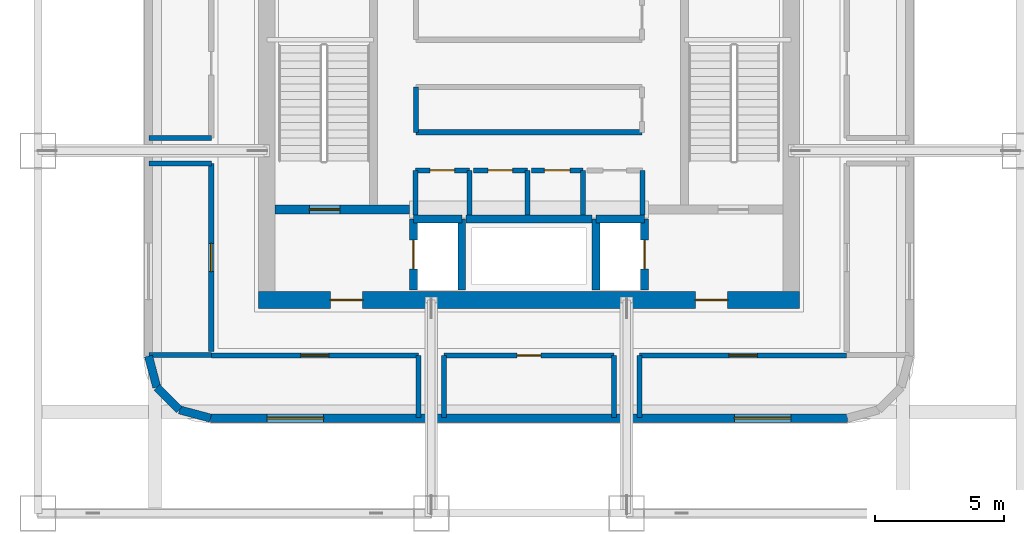
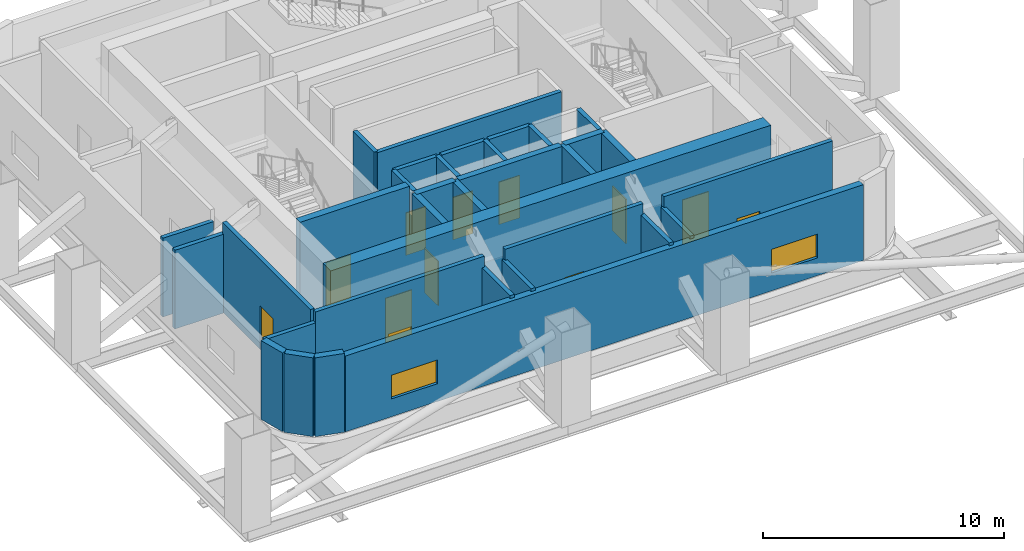
# One storey, part 4 of 9: 34 walls, 12 doors, 2 windows, 14 openings.
"""IFC4 building model written with IfcOpenShell, lengths in metres."""

from ifc_helpers import new_model, si_unit, direction, frame, frame_2d, origin, place, context, subcontext, project, spatial, rectangle, extrude, material, layer, layer_set, type_object, element, fill, save


model = new_model("IFC4")

# Units and contexts
model_context = context("Model", 3, precision=1e-05, world=origin(), true_north=direction((0.0, 1.0)))
body_context = subcontext(model_context, "Body", "Model", "MODEL_VIEW")
ifc_project = project(units=[si_unit("LENGTHUNIT", "METRE"), si_unit("AREAUNIT", "SQUARE_METRE"), si_unit("VOLUMEUNIT", "CUBIC_METRE"), si_unit("PLANEANGLEUNIT", "RADIAN"), si_unit("MASSUNIT", "GRAM", prefix="KILO")], contexts=[model_context])

# Site, building, storey
site_placement = place(None, origin())
site = spatial("IfcSite", under=ifc_project, at=site_placement, CompositionType="ELEMENT")
building_placement = place(site_placement, origin())
building = spatial("IfcBuilding", under=site, at=building_placement, Name="Punatoya Terracotta Tower", CompositionType="ELEMENT")
storey_placement = place(building_placement, frame((0.0, 0.0, 130.199951171875)))
storey = spatial("IfcBuildingStorey", under=building, at=storey_placement, Name="L30", CompositionType="ELEMENT", Elevation=130.199951171875)

# Wall, openings, doors
ifc_material_1 = material(Name="Concrete C60/75", Category="concrete")
ifc_layer_1 = layer(ifc_material_1, 0.64990234375)
ifc_layer_set_1 = layer_set([ifc_layer_1], Name="Concrete C60/75")
wall_type_1 = type_object("IfcWallType", Name="WL-COR-650", PredefinedType="SHEAR", material=ifc_layer_set_1)
wall_1_placement = place(storey_placement, frame((10.52490234375, -9.199951171875, 0.0), z_axis=(0.0, 0.0, 1.0), x_axis=(-1.0, 0.0, 0.0)))
wall_1 = element("IfcWall", 1, at=wall_1_placement, inside=storey, type_object=wall_type_1, Name="L30 Core Shear Wall S", PredefinedType="SHEAR", context=body_context, shape_type="SweptSolid", body=[
    extrude(rectangle(XDim=21.0498046875, YDim=0.64990234375, at=frame_2d((10.52490234375, 0.0))), origin(), (0.0, 0.0, 1.0), 4.800048828125),
])
opening_1_placement = place(wall_1_placement, frame((2.800048828125, 0.0, 0.0)))
opening_1 = element("IfcOpeningElement", 2, at=opening_1_placement, cuts=wall_1, Name="Opening FD-L1", PredefinedType="OPENING", context=body_context, shape_type="SweptSolid", body=[
    extrude(rectangle(XDim=1.25, YDim=2.25, at=frame_2d((0.625, 1.125))), frame((0.0, 0.3349609375, 0.0), z_axis=(0.0, -1.0, 0.0), x_axis=(1.0, 0.0, 0.0)), (0.0, 0.0, 1.0), 0.669921875),
])
opening_2_placement = place(wall_1_placement, frame((17.0, 0.0, 0.0)))
opening_2 = element("IfcOpeningElement", 3, at=opening_2_placement, cuts=wall_1, Name="Opening FD-L1", PredefinedType="OPENING", context=body_context, shape_type="SweptSolid", body=[
    extrude(rectangle(XDim=1.25, YDim=2.25, at=frame_2d((0.625, 1.125))), frame((0.0, 0.3349609375, 0.0), z_axis=(0.0, -1.0, 0.0), x_axis=(1.0, 0.0, 0.0)), (0.0, 0.0, 1.0), 0.669921875),
])
ifc_material_2 = material(Name="Galvanised Steel Smokeproof Fire Door", Category="steel")
door_type_1 = type_object("IfcDoorType", Name="DR-FFL-1250", OperationType="NOTDEFINED", PredefinedType="DOOR", material=ifc_material_2)
door_1_placement = place(opening_1_placement, origin())
door_1 = element("IfcDoor", 4, at=door_1_placement, inside=storey, type_object=door_type_1, Name="L30 East Firefighting Lobby Corridor Fire Door", OperationType="SINGLE_SWING_LEFT", OverallHeight=2.25, OverallWidth=1.25, PredefinedType="DOOR", context=body_context, shape_type="SweptSolid", body=[
    extrude(rectangle(XDim=1.25, YDim=2.25, at=frame_2d((0.625, 1.125))), frame((0.0, 0.02490234375, 0.0), z_axis=(0.0, -1.0, 0.0), x_axis=(1.0, 0.0, 0.0)), (0.0, 0.0, 1.0), 0.050048828125),
])
fill(opening_1, door_1)
door_2_placement = place(opening_2_placement, origin())
door_2 = element("IfcDoor", 5, at=door_2_placement, inside=storey, type_object=door_type_1, Name="L30 West Firefighting Lobby Corridor Fire Door", OperationType="SINGLE_SWING_RIGHT", OverallHeight=2.25, OverallWidth=1.25, PredefinedType="DOOR", context=body_context, shape_type="SweptSolid", body=[
    extrude(rectangle(XDim=1.25, YDim=2.25, at=frame_2d((0.625, 1.125))), frame((0.0, 0.02490234375, 0.0), z_axis=(0.0, -1.0, 0.0), x_axis=(1.0, 0.0, 0.0)), (0.0, 0.0, 1.0), 0.050048828125),
])
fill(opening_2, door_2)

# Wall, openings, windows
ifc_material_3 = material(Name="Precast concrete C40/50", Category="concrete")
ifc_layer_2 = layer(ifc_material_3, 0.320068359375)
ifc_layer_set_2 = layer_set([ifc_layer_2], Name="Precast concrete C40/50")
wall_type_2 = type_object("IfcWallType", Name="WL-EXT-320", PredefinedType="SOLIDWALL", material=ifc_layer_set_2)
wall_2_placement = place(storey_placement, frame((-12.386962890625, -13.800048828125, 0.0), z_axis=(0.0, 0.0, 1.0), x_axis=(1.0, 0.0, 0.0)))
wall_2 = element("IfcWall", 6, at=wall_2_placement, inside=storey, type_object=wall_type_2, Name="L30 Terracotta Louvre Plant Enclosure S", PredefinedType="SOLIDWALL", context=body_context, shape_type="SweptSolid", body=[
    extrude(rectangle(XDim=24.77392578125, YDim=0.320068359375, at=frame_2d((12.386962890625, 0.0))), origin(), (0.0, 0.0, 1.0), 3.833984375),
])
opening_3_placement = place(wall_2_placement, frame((2.199951171875, 0.0, 0.89990234375)))
opening_3 = element("IfcOpeningElement", 7, at=opening_3_placement, cuts=wall_2, Name="Opening WN-09", PredefinedType="OPENING", context=body_context, shape_type="SweptSolid", body=[
    extrude(rectangle(XDim=2.199951171875, YDim=1.199951171875, at=frame_2d((1.10009765625, 0.60009765625))), frame((0.0, 0.169921875, 0.0), z_axis=(0.0, -1.0, 0.0), x_axis=(1.0, 0.0, 0.0)), (0.0, 0.0, 1.0), 0.340087890625),
])
opening_4_placement = place(wall_2_placement, frame((20.373779296875, 0.0, 0.89990234375)))
opening_4 = element("IfcOpeningElement", 8, at=opening_4_placement, cuts=wall_2, Name="Opening WN-09", PredefinedType="OPENING", context=body_context, shape_type="SweptSolid", body=[
    extrude(rectangle(XDim=2.199951171875, YDim=1.199951171875, at=frame_2d((1.10009765625, 0.60009765625))), frame((0.0, 0.169921875, 0.0), z_axis=(0.0, -1.0, 0.0), x_axis=(1.0, 0.0, 0.0)), (0.0, 0.0, 1.0), 0.340087890625),
])
ifc_material_4 = material(Name="Aluminium 6063-T6 + Double Low-E Glass", Category="aluminium")
window_type = type_object("IfcWindowType", Name="WIN-CLR-2200", PartitioningType="SINGLE_PANEL", PredefinedType="WINDOW", material=ifc_material_4)
window_1_placement = place(opening_3_placement, origin())
window_1 = element("IfcWindow", 9, at=window_1_placement, inside=storey, type_object=window_type, Name="L30 Refuge Daylight Window S1", OverallHeight=1.199951171875, OverallWidth=2.199951171875, PartitioningType="SINGLE_PANEL", PredefinedType="WINDOW", context=body_context, shape_type="SweptSolid", body=[
    extrude(rectangle(XDim=2.199951171875, YDim=1.199951171875, at=frame_2d((1.10009765625, 0.60009765625))), frame((0.0, 0.030029296875, 0.0), z_axis=(0.0, -1.0, 0.0), x_axis=(1.0, 0.0, 0.0)), (0.0, 0.0, 1.0), 0.06005859375),
])
fill(opening_3, window_1)
window_2_placement = place(opening_4_placement, origin())
window_2 = element("IfcWindow", 10, at=window_2_placement, inside=storey, type_object=window_type, Name="L30 Refuge Daylight Window S2", OverallHeight=1.199951171875, OverallWidth=2.199951171875, PartitioningType="SINGLE_PANEL", PredefinedType="WINDOW", context=body_context, shape_type="SweptSolid", body=[
    extrude(rectangle(XDim=2.199951171875, YDim=1.199951171875, at=frame_2d((1.10009765625, 0.60009765625))), frame((0.0, 0.030029296875, 0.0), z_axis=(0.0, -1.0, 0.0), x_axis=(1.0, 0.0, 0.0)), (0.0, 0.0, 1.0), 0.06005859375),
])
fill(opening_4, window_2)

# Walls
wall_3_placement = place(storey_placement, frame((-14.800048828125, -11.386962890625, 0.0), z_axis=(0.0, 0.0, 1.0), x_axis=(0.25748094776, -0.966283375382, 0.0)))
element("IfcWall", 11, at=wall_3_placement, inside=storey, type_object=wall_type_2, Name="L30 Rounded Terracotta Corner Pier 14", PredefinedType="SOLIDWALL", context=body_context, shape_type="SweptSolid", body=[
    extrude(rectangle(XDim=1.25439453125, YDim=0.320068359375, at=frame_2d((0.627197265625, 0.0))), origin(), (0.0, 0.0, 1.0), 3.984130859375),
])
wall_4_placement = place(storey_placement, frame((-14.47705078125, -12.59912109375, 0.0), z_axis=(0.0, 0.0, 1.0), x_axis=(0.707106781187, -0.707106781187, 0.0)))
element("IfcWall", 12, at=wall_4_placement, inside=storey, type_object=wall_type_2, Name="L30 Rounded Terracotta Corner Pier 15", PredefinedType="SOLIDWALL", context=body_context, shape_type="SweptSolid", body=[
    extrude(rectangle(XDim=1.24169921875, YDim=0.320068359375, at=frame_2d((0.620849609375, 0.0))), origin(), (0.0, 0.0, 1.0), 3.984130859375),
])
wall_5_placement = place(storey_placement, frame((-13.59912109375, -13.47705078125, 0.0), z_axis=(0.0, 0.0, 1.0), x_axis=(0.966283375382, -0.25748094776, 0.0)))
element("IfcWall", 13, at=wall_5_placement, inside=storey, type_object=wall_type_2, Name="L30 Rounded Terracotta Corner Pier 16", PredefinedType="SOLIDWALL", context=body_context, shape_type="SweptSolid", body=[
    extrude(rectangle(XDim=1.25439453125, YDim=0.320068359375, at=frame_2d((0.627197265625, 0.0))), origin(), (0.0, 0.0, 1.0), 3.984130859375),
])
ifc_material_5 = material(Name="Concrete C40/50", Category="concrete")
ifc_layer_3 = layer(ifc_material_5, 0.199951171875)
ifc_layer_set_3 = layer_set([ifc_layer_3], Name="Concrete C40/50")
wall_type_3 = type_object("IfcWallType", Name="WL-INT-200", PredefinedType="SOLIDWALL", material=ifc_layer_set_3)
wall_6_placement = place(storey_placement, frame((-2.320068359375, -5.89990234375, 0.0), z_axis=(0.0, 0.0, 1.0), x_axis=(0.0, 1.0, 0.0)))
element("IfcWall", 14, at=wall_6_placement, inside=storey, type_object=wall_type_3, Name="L30 Staff Male Washroom Partition 01", PredefinedType="SOLIDWALL", context=body_context, shape_type="SweptSolid", body=[
    extrude(rectangle(XDim=1.739990234375, YDim=0.199951171875, at=frame_2d((0.8701171875, 0.0))), origin(), (0.0, 0.0, 1.0), 4.5400390625),
])

# Wall, opening, door
wall_7_placement = place(storey_placement, frame((-2.320068359375, -4.159912109375, 0.0), z_axis=(0.0, 0.0, 1.0), x_axis=(-1.0, 0.0, 0.0)))
wall_7 = element("IfcWall", 15, at=wall_7_placement, inside=storey, type_object=wall_type_3, Name="L30 Staff Male Washroom Partition 02", PredefinedType="SOLIDWALL", context=body_context, shape_type="SweptSolid", body=[
    extrude(rectangle(XDim=2.099853515625, YDim=0.199951171875, at=frame_2d((1.0498046875, 0.0))), origin(), (0.0, 0.0, 1.0), 4.5400390625),
])
opening_5_placement = place(wall_7_placement, frame((0.574951171875, 0.0, 0.0)))
opening_5 = element("IfcOpeningElement", 16, at=opening_5_placement, cuts=wall_7, Name="Opening WD-01", PredefinedType="OPENING", context=body_context, shape_type="SweptSolid", body=[
    extrude(rectangle(XDim=0.949951171875, YDim=2.14990234375, at=frame_2d((0.47509765625, 1.074951171875))), frame((0.0, 0.10986328125, 0.0), z_axis=(0.0, -1.0, 0.0), x_axis=(1.0, 0.0, 0.0)), (0.0, 0.0, 1.0), 0.219970703125),
])
ifc_material_6 = material(Name="Moisture-Resistant Laminate Timber Leaf", Category="wood")
door_type_2 = type_object("IfcDoorType", Name="DR-WC-950", OperationType="NOTDEFINED", PredefinedType="DOOR", material=ifc_material_6)
door_3_placement = place(opening_5_placement, origin())
door_3 = element("IfcDoor", 17, at=door_3_placement, inside=storey, type_object=door_type_2, Name="L30 Staff Male Washroom Door", OperationType="SINGLE_SWING_LEFT", OverallHeight=2.14990234375, OverallWidth=0.949951171875, PredefinedType="DOOR", context=body_context, shape_type="SweptSolid", body=[
    extrude(rectangle(XDim=0.949951171875, YDim=2.14990234375, at=frame_2d((0.47509765625, 1.074951171875))), frame((0.0, 0.02490234375, 0.0), z_axis=(0.0, -1.0, 0.0), x_axis=(1.0, 0.0, 0.0)), (0.0, 0.0, 1.0), 0.050048828125),
])
fill(opening_5, door_3)

# Walls
for number, where, z_axis, x_axis, name in (
    (18, (-4.419921875, -4.159912109375, 0.0), (0.0, 0.0, 1.0), (0.0, -1.0, 0.0), "L30 Staff Male Washroom Partition 03"),
    (19, (-0.06005859375, -5.89990234375, 0.0), (0.0, 0.0, 1.0), (0.0, 1.0, 0.0), "L30 Staff Female Washroom Partition 04"),
):
    element("IfcWall", number, at=place(storey_placement, frame(where, z_axis=z_axis, x_axis=x_axis)), inside=storey, type_object=wall_type_3, Name=name, PredefinedType="SOLIDWALL", context=body_context, shape_type="SweptSolid", body=[
        extrude(rectangle(XDim=1.739990234375, YDim=0.199951171875, at=frame_2d((0.8701171875, 0.0))), origin(), (0.0, 0.0, 1.0), 4.5400390625),
    ])

# Wall, opening, door
wall_8_placement = place(storey_placement, frame((-0.06005859375, -4.159912109375, 0.0), z_axis=(0.0, 0.0, 1.0), x_axis=(-1.0, 0.0, 0.0)))
wall_8 = element("IfcWall", 20, at=wall_8_placement, inside=storey, type_object=wall_type_3, Name="L30 Staff Female Washroom Partition 05", PredefinedType="SOLIDWALL", context=body_context, shape_type="SweptSolid", body=[
    extrude(rectangle(XDim=2.099853515625, YDim=0.199951171875, at=frame_2d((1.0498046875, 0.0))), origin(), (0.0, 0.0, 1.0), 4.5400390625),
])
opening_6_placement = place(wall_8_placement, frame((0.574951171875, 0.0, 0.0)))
opening_6 = element("IfcOpeningElement", 21, at=opening_6_placement, cuts=wall_8, Name="Opening WD-01", PredefinedType="OPENING", context=body_context, shape_type="SweptSolid", body=[
    extrude(rectangle(XDim=0.949951171875, YDim=2.14990234375, at=frame_2d((0.47509765625, 1.074951171875))), frame((0.0, 0.10986328125, 0.0), z_axis=(0.0, -1.0, 0.0), x_axis=(1.0, 0.0, 0.0)), (0.0, 0.0, 1.0), 0.219970703125),
])
door_4_placement = place(opening_6_placement, origin())
door_4 = element("IfcDoor", 22, at=door_4_placement, inside=storey, type_object=door_type_2, Name="L30 Staff Female Washroom Door", OperationType="SINGLE_SWING_RIGHT", OverallHeight=2.14990234375, OverallWidth=0.949951171875, PredefinedType="DOOR", context=body_context, shape_type="SweptSolid", body=[
    extrude(rectangle(XDim=0.949951171875, YDim=2.14990234375, at=frame_2d((0.47509765625, 1.074951171875))), frame((0.0, 0.02490234375, 0.0), z_axis=(0.0, -1.0, 0.0), x_axis=(1.0, 0.0, 0.0)), (0.0, 0.0, 1.0), 0.050048828125),
])
fill(opening_6, door_4)

# Wall
wall_9_placement = place(storey_placement, frame((2.10009765625, -5.89990234375, 0.0), z_axis=(0.0, 0.0, 1.0), x_axis=(0.0, 1.0, 0.0)))
element("IfcWall", 23, at=wall_9_placement, inside=storey, type_object=wall_type_3, Name="L30 Accessible Universal Washroom Partition 06", PredefinedType="SOLIDWALL", context=body_context, shape_type="SweptSolid", body=[
    extrude(rectangle(XDim=1.739990234375, YDim=0.199951171875, at=frame_2d((0.8701171875, 0.0))), origin(), (0.0, 0.0, 1.0), 4.5400390625),
])

# Wall, opening, door
wall_10_placement = place(storey_placement, frame((2.10009765625, -4.159912109375, 0.0), z_axis=(0.0, 0.0, 1.0), x_axis=(-1.0, 0.0, 0.0)))
wall_10 = element("IfcWall", 24, at=wall_10_placement, inside=storey, type_object=wall_type_3, Name="L30 Accessible Universal Washroom Partition 07", PredefinedType="SOLIDWALL", context=body_context, shape_type="SweptSolid", body=[
    extrude(rectangle(XDim=2.0, YDim=0.199951171875, at=frame_2d((1.0, 0.0))), origin(), (0.0, 0.0, 1.0), 4.5400390625),
])
opening_7_placement = place(wall_10_placement, frame((0.5, 0.0, 0.0)))
opening_7 = element("IfcOpeningElement", 25, at=opening_7_placement, cuts=wall_10, Name="Opening AWD-1", PredefinedType="OPENING", context=body_context, shape_type="SweptSolid", body=[
    extrude(rectangle(XDim=1.0, YDim=2.14990234375, at=frame_2d((0.5, 1.074951171875))), frame((0.0, 0.10986328125, 0.0), z_axis=(0.0, -1.0, 0.0), x_axis=(1.0, 0.0, 0.0)), (0.0, 0.0, 1.0), 0.219970703125),
])
ifc_material_7 = material(Name="Bengal Teak Accessible WC Leaf")
door_type_3 = type_object("IfcDoorType", Name="DR-ACC-1000", OperationType="NOTDEFINED", PredefinedType="DOOR", material=ifc_material_7)
door_5_placement = place(opening_7_placement, origin())
door_5 = element("IfcDoor", 26, at=door_5_placement, inside=storey, type_object=door_type_3, Name="L30 Accessible Universal Washroom Door", OperationType="SINGLE_SWING_LEFT", OverallHeight=2.14990234375, OverallWidth=1.0, PredefinedType="DOOR", context=body_context, shape_type="SweptSolid", body=[
    extrude(rectangle(XDim=1.0, YDim=2.14990234375, at=frame_2d((0.5, 1.074951171875))), frame((0.0, 0.02490234375, 0.0), z_axis=(0.0, -1.0, 0.0), x_axis=(1.0, 0.0, 0.0)), (0.0, 0.0, 1.0), 0.050048828125),
])
fill(opening_7, door_5)

# Walls
wall_11_placement = place(storey_placement, frame((4.419921875, -5.89990234375, 0.0), z_axis=(0.0, 0.0, 1.0), x_axis=(0.0, 1.0, 0.0)))
element("IfcWall", 27, at=wall_11_placement, inside=storey, type_object=wall_type_3, Name="L30 Core Electrical Switchgear Room Partition 08", PredefinedType="SOLIDWALL", context=body_context, shape_type="SweptSolid", body=[
    extrude(rectangle(XDim=1.739990234375, YDim=0.199951171875, at=frame_2d((0.8701171875, 0.0))), origin(), (0.0, 0.0, 1.0), 4.5400390625),
])
wall_12_placement = place(storey_placement, frame((-4.39990234375, -0.919921875, 0.0), z_axis=(0.0, 0.0, 1.0), x_axis=(0.0, -1.0, 0.0)))
element("IfcWall", 28, at=wall_12_placement, inside=storey, type_object=wall_type_3, Name="L30 Zone Mechanical Riser Plant Partition 12", PredefinedType="SOLIDWALL", context=body_context, shape_type="SweptSolid", body=[
    extrude(rectangle(XDim=1.760009765625, YDim=0.199951171875, at=frame_2d((0.8798828125, 0.0))), origin(), (0.0, 0.0, 1.0), 4.5400390625),
])
wall_13_placement = place(storey_placement, frame((-4.39990234375, -2.679931640625, 0.0), z_axis=(0.0, 0.0, 1.0), x_axis=(1.0, 0.0, 0.0)))
element("IfcWall", 29, at=wall_13_placement, inside=storey, type_object=wall_type_3, Name="L30 Zone Mechanical Riser Plant Partition 13", PredefinedType="SOLIDWALL", context=body_context, shape_type="SweptSolid", body=[
    extrude(rectangle(XDim=8.7998046875, YDim=0.199951171875, at=frame_2d((4.39990234375, 0.0))), origin(), (0.0, 0.0, 1.0), 4.5400390625),
])
wall_14_placement = place(storey_placement, frame((-14.780029296875, -11.35009765625, 0.0), z_axis=(0.0, 0.0, 1.0), x_axis=(1.0, 0.0, 0.0)))
element("IfcWall", 30, at=wall_14_placement, inside=storey, type_object=wall_type_3, Name="L30 South AHU Mechanical Plant Room (West Bay) Partition 18", PredefinedType="SOLIDWALL", context=body_context, shape_type="SweptSolid", body=[
    extrude(rectangle(XDim=2.419921875, YDim=0.199951171875, at=frame_2d((1.2099609375, 0.0))), origin(), (0.0, 0.0, 1.0), 3.984130859375),
])

# Wall, opening, door
wall_15_placement = place(storey_placement, frame((-12.360107421875, -11.360107421875, 0.0), z_axis=(0.0, 0.0, 1.0), x_axis=(1.0, 0.0, 0.0)))
wall_15 = element("IfcWall", 31, at=wall_15_placement, inside=storey, type_object=wall_type_3, Name="L30 South AHU Mechanical Plant Room (West Bay) Partition 19", PredefinedType="SOLIDWALL", context=body_context, shape_type="SweptSolid", body=[
    extrude(rectangle(XDim=8.06005859375, YDim=0.199951171875, at=frame_2d((4.030029296875, 0.0))), origin(), (0.0, 0.0, 1.0), 4.5400390625),
])
opening_8_placement = place(wall_15_placement, frame((3.47998046875, 0.0, 0.0)))
opening_8 = element("IfcOpeningElement", 32, at=opening_8_placement, cuts=wall_15, Name="Opening FD-P1", PredefinedType="OPENING", context=body_context, shape_type="SweptSolid", body=[
    extrude(rectangle(XDim=1.10009765625, YDim=2.199951171875, at=frame_2d((0.550048828125, 1.10009765625))), frame((0.0, 0.10986328125, 0.0), z_axis=(0.0, -1.0, 0.0), x_axis=(1.0, 0.0, 0.0)), (0.0, 0.0, 1.0), 0.219970703125),
])
ifc_material_8 = material(Name="Galvanised Steel Plant Fire Door", Category="steel")
door_type_4 = type_object("IfcDoorType", Name="DR-PLT-1100", OperationType="NOTDEFINED", PredefinedType="DOOR", material=ifc_material_8)
door_6_placement = place(opening_8_placement, origin())
door_6 = element("IfcDoor", 33, at=door_6_placement, inside=storey, type_object=door_type_4, Name="L30 South AHU Mechanical Plant Room (West Bay) Fire Door", OperationType="SINGLE_SWING_LEFT", OverallHeight=2.199951171875, OverallWidth=1.10009765625, PredefinedType="DOOR", context=body_context, shape_type="SweptSolid", body=[
    extrude(rectangle(XDim=1.10009765625, YDim=2.199951171875, at=frame_2d((0.550048828125, 1.10009765625))), frame((0.0, 0.02490234375, 0.0), z_axis=(0.0, -1.0, 0.0), x_axis=(1.0, 0.0, 0.0)), (0.0, 0.0, 1.0), 0.050048828125),
])
fill(opening_8, door_6)

# Wall
wall_16_placement = place(storey_placement, frame((-4.300048828125, -11.360107421875, 0.0), z_axis=(0.0, 0.0, 1.0), x_axis=(0.0, -1.0, 0.0)))
element("IfcWall", 34, at=wall_16_placement, inside=storey, type_object=wall_type_3, Name="L30 South AHU Mechanical Plant Room (West Bay) Partition 20", PredefinedType="SOLIDWALL", context=body_context, shape_type="SweptSolid", body=[
    extrude(rectangle(XDim=2.419921875, YDim=0.199951171875, at=frame_2d((1.2099609375, 0.0))), origin(), (0.0, 0.0, 1.0), 3.984130859375),
])

# Wall, opening, door
wall_17_placement = place(storey_placement, frame((-3.300048828125, -11.360107421875, 0.0), z_axis=(0.0, 0.0, 1.0), x_axis=(1.0, 0.0, 0.0)))
wall_17 = element("IfcWall", 35, at=wall_17_placement, inside=storey, type_object=wall_type_3, Name="L30 South AHU Mechanical Plant Room (Central Bay) Partition 21", PredefinedType="SOLIDWALL", context=body_context, shape_type="SweptSolid", body=[
    extrude(rectangle(XDim=6.60009765625, YDim=0.199951171875, at=frame_2d((3.300048828125, 0.0))), origin(), (0.0, 0.0, 1.0), 4.5400390625),
])
opening_9_placement = place(wall_17_placement, frame((2.840087890625, 0.0, 0.0)))
opening_9 = element("IfcOpeningElement", 36, at=opening_9_placement, cuts=wall_17, Name="Opening FD-R1", PredefinedType="OPENING", context=body_context, shape_type="SweptSolid", body=[
    extrude(rectangle(XDim=0.919921875, YDim=2.10009765625, at=frame_2d((0.4599609375, 1.050048828125))), frame((0.0, 0.10986328125, 0.0), z_axis=(0.0, -1.0, 0.0), x_axis=(1.0, 0.0, 0.0)), (0.0, 0.0, 1.0), 0.219970703125),
])
ifc_material_9 = material(Name="Galvanised Steel Riser Fire Access Door", Category="steel")
door_type_5 = type_object("IfcDoorType", Name="DR-RSR-920", OperationType="NOTDEFINED", PredefinedType="DOOR", material=ifc_material_9)
door_7_placement = place(opening_9_placement, origin())
door_7 = element("IfcDoor", 37, at=door_7_placement, inside=storey, type_object=door_type_5, Name="L30 South AHU Mechanical Plant Room (Central Bay) Fire Door", OperationType="SINGLE_SWING_RIGHT", OverallHeight=2.10009765625, OverallWidth=0.919921875, PredefinedType="DOOR", context=body_context, shape_type="SweptSolid", body=[
    extrude(rectangle(XDim=0.919921875, YDim=2.10009765625, at=frame_2d((0.4599609375, 1.050048828125))), frame((0.0, 0.02490234375, 0.0), z_axis=(0.0, -1.0, 0.0), x_axis=(1.0, 0.0, 0.0)), (0.0, 0.0, 1.0), 0.050048828125),
])
fill(opening_9, door_7)

# Walls
for number, where, z_axis, x_axis, name in (
    (38, (3.300048828125, -11.360107421875, 0.0), (0.0, 0.0, 1.0), (0.0, -1.0, 0.0), "L30 South AHU Mechanical Plant Room (Central Bay) Partition 22"),
    (39, (-3.300048828125, -13.780029296875, 0.0), (0.0, 0.0, 1.0), (0.0, 1.0, 0.0), "L30 South AHU Mechanical Plant Room (Central Bay) Partition 23"),
    (40, (4.300048828125, -13.780029296875, 0.0), (0.0, 0.0, 1.0), (0.0, 1.0, 0.0), "L30 South AHU Mechanical Plant Room (East Bay) Partition 24"),
):
    element("IfcWall", number, at=place(storey_placement, frame(where, z_axis=z_axis, x_axis=x_axis)), inside=storey, type_object=wall_type_3, Name=name, PredefinedType="SOLIDWALL", context=body_context, shape_type="SweptSolid", body=[
        extrude(rectangle(XDim=2.419921875, YDim=0.199951171875, at=frame_2d((1.2099609375, 0.0))), origin(), (0.0, 0.0, 1.0), 3.984130859375),
    ])

# Wall, opening, door
wall_18_placement = place(storey_placement, frame((4.300048828125, -11.360107421875, 0.0), z_axis=(0.0, 0.0, 1.0), x_axis=(1.0, 0.0, 0.0)))
wall_18 = element("IfcWall", 41, at=wall_18_placement, inside=storey, type_object=wall_type_3, Name="L30 South AHU Mechanical Plant Room (East Bay) Partition 25", PredefinedType="SOLIDWALL", context=body_context, shape_type="SweptSolid", body=[
    extrude(rectangle(XDim=8.06005859375, YDim=0.199951171875, at=frame_2d((4.030029296875, 0.0))), origin(), (0.0, 0.0, 1.0), 4.5400390625),
])
opening_10_placement = place(wall_18_placement, frame((3.47998046875, 0.0, 0.0)))
opening_10 = element("IfcOpeningElement", 42, at=opening_10_placement, cuts=wall_18, Name="Opening FD-P1", PredefinedType="OPENING", context=body_context, shape_type="SweptSolid", body=[
    extrude(rectangle(XDim=1.10009765625, YDim=2.199951171875, at=frame_2d((0.550048828125, 1.10009765625))), frame((0.0, 0.10986328125, 0.0), z_axis=(0.0, -1.0, 0.0), x_axis=(1.0, 0.0, 0.0)), (0.0, 0.0, 1.0), 0.219970703125),
])
door_8_placement = place(opening_10_placement, origin())
door_8 = element("IfcDoor", 43, at=door_8_placement, inside=storey, type_object=door_type_4, Name="L30 South AHU Mechanical Plant Room (East Bay) Fire Door", OperationType="SINGLE_SWING_LEFT", OverallHeight=2.199951171875, OverallWidth=1.10009765625, PredefinedType="DOOR", context=body_context, shape_type="SweptSolid", body=[
    extrude(rectangle(XDim=1.10009765625, YDim=2.199951171875, at=frame_2d((0.550048828125, 1.10009765625))), frame((0.0, 0.02490234375, 0.0), z_axis=(0.0, -1.0, 0.0), x_axis=(1.0, 0.0, 0.0)), (0.0, 0.0, 1.0), 0.050048828125),
])
fill(opening_10, door_8)

# Wall
wall_19_placement = place(storey_placement, frame((-14.780029296875, -3.89990234375, 0.0), z_axis=(0.0, 0.0, 1.0), x_axis=(1.0, 0.0, 0.0)))
element("IfcWall", 44, at=wall_19_placement, inside=storey, type_object=wall_type_3, Name="L30 West Outrigger Truss & Smoke-Extract Plant Room (South Bay) Partition 27", PredefinedType="SOLIDWALL", context=body_context, shape_type="SweptSolid", body=[
    extrude(rectangle(XDim=2.419921875, YDim=0.199951171875, at=frame_2d((1.2099609375, 0.0))), origin(), (0.0, 0.0, 1.0), 3.984130859375),
])

# Wall, opening, door
wall_20_placement = place(storey_placement, frame((-12.360107421875, -3.89990234375, 0.0), z_axis=(0.0, 0.0, 1.0), x_axis=(0.0, -1.0, 0.0)))
wall_20 = element("IfcWall", 45, at=wall_20_placement, inside=storey, type_object=wall_type_3, Name="L30 West Outrigger Truss & Smoke-Extract Plant Room (South Bay) Partition 28", PredefinedType="SOLIDWALL", context=body_context, shape_type="SweptSolid", body=[
    extrude(rectangle(XDim=7.300048828125, YDim=0.199951171875, at=frame_2d((3.64990234375, 0.0))), origin(), (0.0, 0.0, 1.0), 4.5400390625),
])
opening_11_placement = place(wall_20_placement, frame((3.10009765625, 0.0, 0.0)))
opening_11 = element("IfcOpeningElement", 46, at=opening_11_placement, cuts=wall_20, Name="Opening FD-P1", PredefinedType="OPENING", context=body_context, shape_type="SweptSolid", body=[
    extrude(rectangle(XDim=1.10009765625, YDim=2.199951171875, at=frame_2d((0.550048828125, 1.10009765625))), frame((0.0, 0.10986328125, 0.0), z_axis=(0.0, -1.0, 0.0), x_axis=(1.0, 0.0, 0.0)), (0.0, 0.0, 1.0), 0.219970703125),
])
door_9_placement = place(opening_11_placement, origin())
door_9 = element("IfcDoor", 47, at=door_9_placement, inside=storey, type_object=door_type_4, Name="L30 West Outrigger Truss & Smoke-Extract Plant Room (South Bay) Fire Door", OperationType="SINGLE_SWING_RIGHT", OverallHeight=2.199951171875, OverallWidth=1.10009765625, PredefinedType="DOOR", context=body_context, shape_type="SweptSolid", body=[
    extrude(rectangle(XDim=1.10009765625, YDim=2.199951171875, at=frame_2d((0.550048828125, 1.10009765625))), frame((0.0, 0.02490234375, 0.0), z_axis=(0.0, -1.0, 0.0), x_axis=(1.0, 0.0, 0.0)), (0.0, 0.0, 1.0), 0.050048828125),
])
fill(opening_11, door_9)

# Wall
wall_21_placement = place(storey_placement, frame((-12.360107421875, -2.89990234375, 0.0), z_axis=(0.0, 0.0, 1.0), x_axis=(-1.0, 0.0, 0.0)))
element("IfcWall", 48, at=wall_21_placement, inside=storey, type_object=wall_type_3, Name="L30 West Outrigger Truss & Smoke-Extract Plant Room (Central Bay) Partition 30", PredefinedType="SOLIDWALL", context=body_context, shape_type="SweptSolid", body=[
    extrude(rectangle(XDim=2.419921875, YDim=0.199951171875, at=frame_2d((1.2099609375, 0.0))), origin(), (0.0, 0.0, 1.0), 3.984130859375),
])

# Wall, opening, door
ifc_layer_4 = layer(ifc_material_5, 0.300048828125)
ifc_layer_set_4 = layer_set([ifc_layer_4], Name="Concrete C40/50")
wall_type_4 = type_object("IfcWallType", Name="WL-SHF-300", PredefinedType="SOLIDWALL", material=ifc_layer_set_4)
wall_22_placement = place(storey_placement, frame((-4.489990234375, -8.820068359375, 0.0), z_axis=(0.0, 0.0, 1.0), x_axis=(0.0, 1.0, 0.0)))
wall_22 = element("IfcWall", 49, at=wall_22_placement, inside=storey, type_object=wall_type_4, Name="L30 FFL-1 Front Hoistway Wall", PredefinedType="SOLIDWALL", context=body_context, shape_type="SweptSolid", body=[
    extrude(rectangle(XDim=2.77001953125, YDim=0.300048828125, at=frame_2d((1.385009765625, 0.0))), origin(), (0.0, 0.0, 1.0), 4.5400390625),
])
opening_12_placement = place(wall_22_placement, frame((0.824951171875, 0.0, 0.0)))
opening_12 = element("IfcOpeningElement", 50, at=opening_12_placement, cuts=wall_22, Name="Opening LD-02", PredefinedType="OPENING", context=body_context, shape_type="SweptSolid", body=[
    extrude(rectangle(XDim=1.1201171875, YDim=2.25, at=frame_2d((0.56005859375, 1.125))), frame((0.0, 0.159912109375, 0.0), z_axis=(0.0, -1.0, 0.0), x_axis=(1.0, 0.0, 0.0)), (0.0, 0.0, 1.0), 0.320068359375),
])
ifc_material_10 = material(Name="Stainless Steel Lift Landing Door", Category="steel")
door_type_6 = type_object("IfcDoorType", Name="DR-LND-1120", OperationType="NOTDEFINED", PredefinedType="DOOR", material=ifc_material_10)
door_10_placement = place(opening_12_placement, origin())
door_10 = element("IfcDoor", 51, at=door_10_placement, inside=storey, type_object=door_type_6, Name="L30 Firefighting Lift FFL-1 Sliding Landing Door", OperationType="SLIDING_TO_LEFT", OverallHeight=2.25, OverallWidth=1.1201171875, PredefinedType="DOOR", context=body_context, shape_type="SweptSolid", body=[
    extrude(rectangle(XDim=1.1201171875, YDim=2.25, at=frame_2d((0.56005859375, 1.125))), frame((0.0, 0.02490234375, 0.0), z_axis=(0.0, -1.0, 0.0), x_axis=(1.0, 0.0, 0.0)), (0.0, 0.0, 1.0), 0.050048828125),
])
fill(opening_12, door_10)

# Walls
wall_23_placement = place(storey_placement, frame((-2.610107421875, -8.820068359375, 0.0), z_axis=(0.0, 0.0, 1.0), x_axis=(0.0, 1.0, 0.0)))
element("IfcWall", 52, at=wall_23_placement, inside=storey, type_object=wall_type_4, Name="L30 FFL-1 Rear Hoistway Wall", PredefinedType="SOLIDWALL", context=body_context, shape_type="SweptSolid", body=[
    extrude(rectangle(XDim=2.77001953125, YDim=0.300048828125, at=frame_2d((1.385009765625, 0.0))), origin(), (0.0, 0.0, 1.0), 4.5400390625),
])
wall_24_placement = place(storey_placement, frame((-4.489990234375, -6.050048828125, 0.0), z_axis=(0.0, 0.0, 1.0), x_axis=(1.0, 0.0, 0.0)))
element("IfcWall", 53, at=wall_24_placement, inside=storey, type_object=wall_type_4, Name="L30 FFL-1 North Hoistway Wall", PredefinedType="SOLIDWALL", context=body_context, shape_type="SweptSolid", body=[
    extrude(rectangle(XDim=1.8798828125, YDim=0.300048828125, at=frame_2d((0.93994140625, 0.0))), origin(), (0.0, 0.0, 1.0), 4.5400390625),
])

# Wall, opening, door
wall_25_placement = place(storey_placement, frame((4.489990234375, -8.820068359375, 0.0), z_axis=(0.0, 0.0, 1.0), x_axis=(0.0, 1.0, 0.0)))
wall_25 = element("IfcWall", 54, at=wall_25_placement, inside=storey, type_object=wall_type_4, Name="L30 FFL-2 Front Hoistway Wall", PredefinedType="SOLIDWALL", context=body_context, shape_type="SweptSolid", body=[
    extrude(rectangle(XDim=2.77001953125, YDim=0.300048828125, at=frame_2d((1.385009765625, 0.0))), origin(), (0.0, 0.0, 1.0), 4.5400390625),
])
opening_13_placement = place(wall_25_placement, frame((0.824951171875, 0.0, 0.0)))
opening_13 = element("IfcOpeningElement", 55, at=opening_13_placement, cuts=wall_25, Name="Opening LD-02", PredefinedType="OPENING", context=body_context, shape_type="SweptSolid", body=[
    extrude(rectangle(XDim=1.1201171875, YDim=2.25, at=frame_2d((0.56005859375, 1.125))), frame((0.0, 0.159912109375, 0.0), z_axis=(0.0, -1.0, 0.0), x_axis=(1.0, 0.0, 0.0)), (0.0, 0.0, 1.0), 0.320068359375),
])
door_11_placement = place(opening_13_placement, origin())
door_11 = element("IfcDoor", 56, at=door_11_placement, inside=storey, type_object=door_type_6, Name="L30 Firefighting Lift FFL-2 Sliding Landing Door", OperationType="SLIDING_TO_RIGHT", OverallHeight=2.25, OverallWidth=1.1201171875, PredefinedType="DOOR", context=body_context, shape_type="SweptSolid", body=[
    extrude(rectangle(XDim=1.1201171875, YDim=2.25, at=frame_2d((0.56005859375, 1.125))), frame((0.0, 0.02490234375, 0.0), z_axis=(0.0, -1.0, 0.0), x_axis=(1.0, 0.0, 0.0)), (0.0, 0.0, 1.0), 0.050048828125),
])
fill(opening_13, door_11)

# Walls
wall_26_placement = place(storey_placement, frame((2.610107421875, -8.820068359375, 0.0), z_axis=(0.0, 0.0, 1.0), x_axis=(0.0, 1.0, 0.0)))
element("IfcWall", 57, at=wall_26_placement, inside=storey, type_object=wall_type_4, Name="L30 FFL-2 Rear Hoistway Wall", PredefinedType="SOLIDWALL", context=body_context, shape_type="SweptSolid", body=[
    extrude(rectangle(XDim=2.77001953125, YDim=0.300048828125, at=frame_2d((1.385009765625, 0.0))), origin(), (0.0, 0.0, 1.0), 4.5400390625),
])
wall_27_placement = place(storey_placement, frame((2.610107421875, -6.050048828125, 0.0), z_axis=(0.0, 0.0, 1.0), x_axis=(1.0, 0.0, 0.0)))
element("IfcWall", 58, at=wall_27_placement, inside=storey, type_object=wall_type_4, Name="L30 FFL-2 North Hoistway Wall", PredefinedType="SOLIDWALL", context=body_context, shape_type="SweptSolid", body=[
    extrude(rectangle(XDim=1.8798828125, YDim=0.300048828125, at=frame_2d((0.93994140625, 0.0))), origin(), (0.0, 0.0, 1.0), 4.5400390625),
])
wall_28_placement = place(storey_placement, frame((-2.449951171875, -6.050048828125, 0.0), z_axis=(0.0, 0.0, 1.0), x_axis=(1.0, 0.0, 0.0)))
element("IfcWall", 59, at=wall_28_placement, inside=storey, type_object=wall_type_4, Name="L30 Observation Shuttle Rear Hoistway Wall", PredefinedType="SOLIDWALL", context=body_context, shape_type="SweptSolid", body=[
    extrude(rectangle(XDim=4.89990234375, YDim=0.300048828125, at=frame_2d((2.449951171875, 0.0))), origin(), (0.0, 0.0, 1.0), 4.5400390625),
])

# Wall, opening, door
ifc_material_11 = material(Name="Concrete C50/60", Category="concrete")
ifc_layer_5 = layer(ifc_material_11, 0.35009765625)
ifc_layer_set_5 = layer_set([ifc_layer_5], Name="Concrete C50/60")
wall_type_5 = type_object("IfcWallType", Name="WL-SHF-350", PredefinedType="SOLIDWALL", material=ifc_layer_set_5)
wall_29_placement = place(storey_placement, frame((-9.875, -5.679931640625, 0.0), z_axis=(0.0, 0.0, 1.0), x_axis=(1.0, 0.0, 0.0)))
wall_29 = element("IfcWall", 60, at=wall_29_placement, inside=storey, type_object=wall_type_5, Name="L30 Core Web Wall CSW-L", PredefinedType="SOLIDWALL", context=body_context, shape_type="SweptSolid", body=[
    extrude(rectangle(XDim=5.22509765625, YDim=0.35009765625, at=frame_2d((2.612548828125, 0.0))), origin(), (0.0, 0.0, 1.0), 4.800048828125),
])
opening_14_placement = place(wall_29_placement, frame((1.3349609375, 0.0, 0.0)))
opening_14 = element("IfcOpeningElement", 61, at=opening_14_placement, cuts=wall_29, Name="Opening SD-01", PredefinedType="OPENING", context=body_context, shape_type="SweptSolid", body=[
    extrude(rectangle(XDim=1.179931640625, YDim=2.199951171875, at=frame_2d((0.58984375, 1.10009765625))), frame((0.0, 0.18505859375, 0.0), z_axis=(0.0, -1.0, 0.0), x_axis=(1.0, 0.0, 0.0)), (0.0, 0.0, 1.0), 0.3701171875),
])
ifc_material_12 = material(Name="Galvanised Steel Pressurized Stair Fire Door", Category="steel")
door_type_7 = type_object("IfcDoorType", Name="DR-STR-1180", OperationType="NOTDEFINED", PredefinedType="DOOR", material=ifc_material_12)
door_12_placement = place(opening_14_placement, origin())
door_12 = element("IfcDoor", 62, at=door_12_placement, inside=storey, type_object=door_type_7, Name="L30 Stair ST-1 Smokeproof Lobby Fire Door", OperationType="SINGLE_SWING_LEFT", OverallHeight=2.199951171875, OverallWidth=1.179931640625, PredefinedType="DOOR", context=body_context, shape_type="SweptSolid", body=[
    extrude(rectangle(XDim=1.179931640625, YDim=2.199951171875, at=frame_2d((0.58984375, 1.10009765625))), frame((0.0, 0.02490234375, 0.0), z_axis=(0.0, -1.0, 0.0), x_axis=(1.0, 0.0, 0.0)), (0.0, 0.0, 1.0), 0.050048828125),
])
fill(opening_14, door_12)

save(model, "model.ifc")
